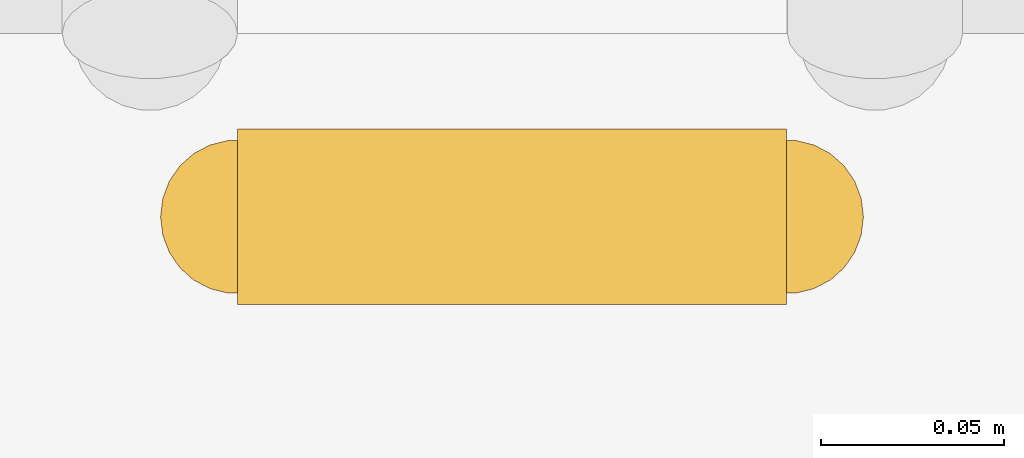
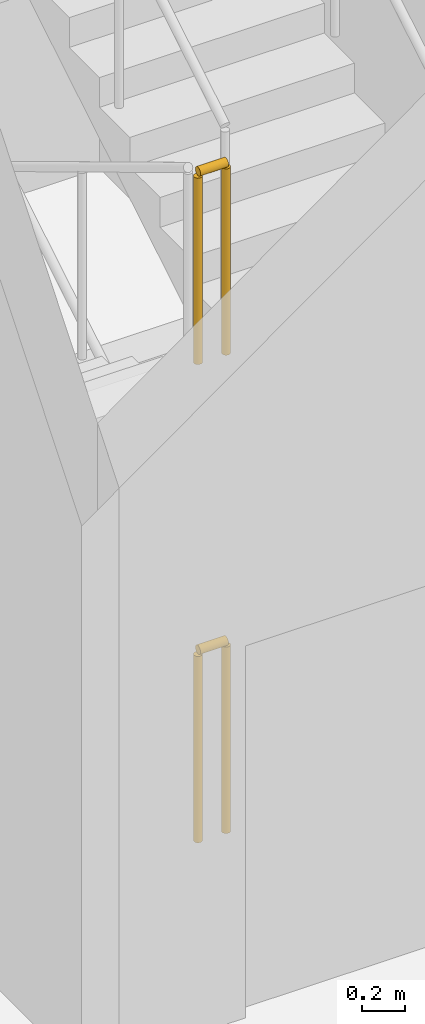
# One storey, part 92 of 101: 2 railings.
"""IFC4 building model written with IfcOpenShell, lengths in metres."""

from ifc_helpers import new_model, si_unit, direction, frame, origin, origin_2d, place, context, subcontext, project, spatial, circle, extrude, material, type_object, element, save


model = new_model("IFC4")

# Units and contexts
model_context = context("Model", 3, precision=1e-05, world=origin(), true_north=direction((0.0, 1.0)))
body_context = subcontext(model_context, "Body", "Model", "MODEL_VIEW")
ifc_project = project(units=[si_unit("LENGTHUNIT", "METRE"), si_unit("AREAUNIT", "SQUARE_METRE"), si_unit("VOLUMEUNIT", "CUBIC_METRE"), si_unit("PLANEANGLEUNIT", "RADIAN"), si_unit("MASSUNIT", "GRAM", prefix="KILO")], contexts=[model_context])

# Site, building, storey
site_placement = place(None, origin())
site = spatial("IfcSite", under=ifc_project, at=site_placement, CompositionType="ELEMENT")
building_placement = place(site_placement, origin())
building = spatial("IfcBuilding", under=site, at=building_placement, Name="Magnolia Steps Interchange", CompositionType="ELEMENT")
storey_placement = place(building_placement, frame((0.0, 0.0, -5.39990234375)))
storey = spatial("IfcBuildingStorey", under=building, at=storey_placement, Name="B1", CompositionType="ELEMENT", Elevation=-5.39990234375)

# Railings
ifc_material = material(Name="Stainless steel grade 304", Category="steel")
railing_type = type_object("IfcRailingType", Name="Stair guard 1100", PredefinedType="GUARDRAIL", material=ifc_material)
for number, where, name in (
    (1, (137.89990234375, 38.64990234375, 2.699951171875), "B1 ST22 stair guard 4"),
    (2, (137.89990234375, 38.64990234375, 0.0), "B1 ST22 stair guard 8"),
):
    element("IfcRailing", number, at=place(storey_placement, frame(where)), inside=storey, type_object=railing_type, Name=name, PredefinedType="GUARDRAIL", context=body_context, shape_type="SweptSolid", body=[
        extrude(circle(Radius=0.02392578125, at=origin_2d()), frame((0.0, 0.0, 1.076171875), z_axis=(-1.0, 0.0, 0.0), x_axis=(0.0, -1.0, 0.0)), (0.0, 0.0, 1.0), 0.14990234375),
        extrude(circle(Radius=0.02099609375, at=origin_2d()), origin(), (0.0, 0.0, 1.0), 1.052001953125),
        extrude(circle(Radius=0.02099609375, at=origin_2d()), frame((-0.14990234375, 0.0, 0.0)), (0.0, 0.0, 1.0), 1.052001953125),
    ])

save(model, "model.ifc")
